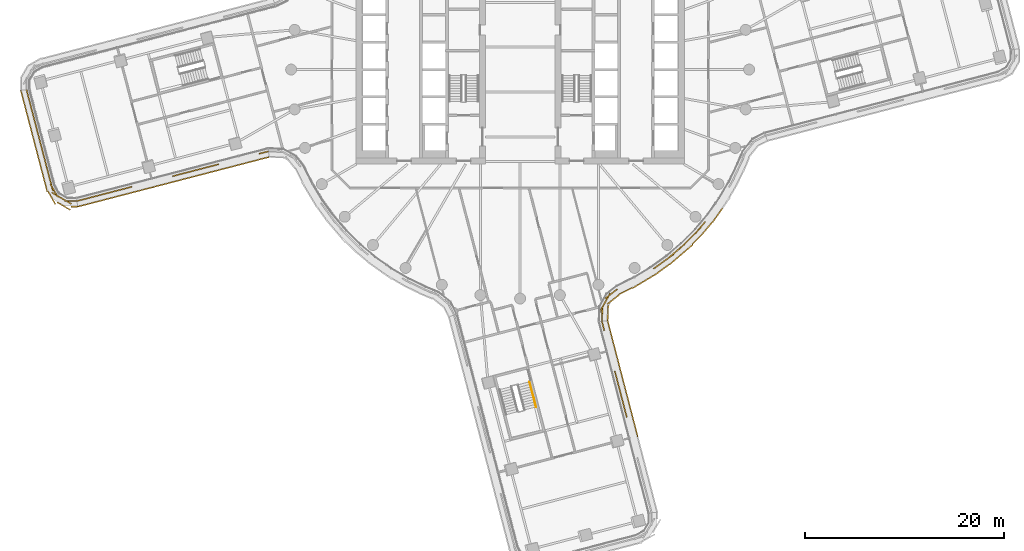
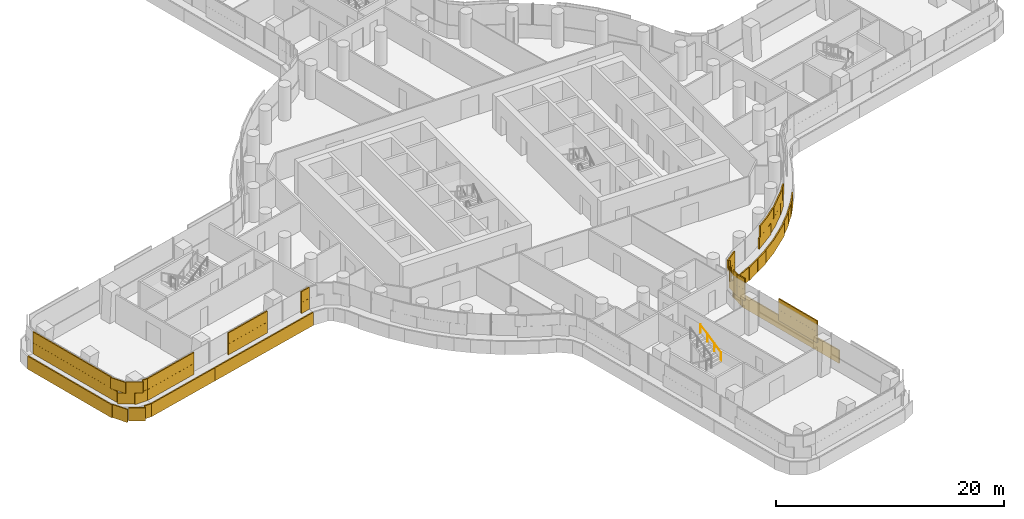
# One storey, part 25 of 30: 5 coverings, 1 railing.
"""IFC4 building model written with IfcOpenShell, lengths in metres."""

import ifcopenshell
import ifcopenshell.guid

model = None  # the IFC model being written
_history = None  # IfcOwnerHistory: only IFC2X3 demands one
_inside = {}  # id of a spatial element -> (the spatial element, [elements in it])
_under = {}  # id of a project, library or spatial element -> (it, [spatial elements below it])
_declared = {}  # id of a project -> (the project, [libraries it declares])
_typed = {}  # id of a type object -> (the type object, [elements of that type])
_made_of = {}  # id of a material, layer set ... -> (it, [elements and type objects made of it])


def new_model(schema):
    """Start an empty IFC model of exactly this schema.

    Asked for "IFC4X3", IfcOpenShell would pick the latest addendum, in which some entities
    have other attributes; the version numbers below select the first issue.
    IFC2X3 requires an IfcOwnerHistory on every rooted entity: one is made here for all.
    """
    global model, _history
    if schema == "IFC4X3":
        model = ifcopenshell.file(schema_version=(4, 3, 0, 0))
    else:
        model = ifcopenshell.file(schema=schema)
    _inside.clear()
    _under.clear()
    _declared.clear()
    _typed.clear()
    _made_of.clear()
    _history = None
    if model.schema == "IFC2X3":
        org = make("IfcOrganization", Name="unknown")
        user = make(
            "IfcPersonAndOrganization",
            ThePerson=make("IfcPerson", FamilyName="unknown"),
            TheOrganization=org,
        )
        app = make(
            "IfcApplication",
            ApplicationDeveloper=org,
            Version="unknown",
            ApplicationFullName="unknown",
            ApplicationIdentifier="unknown",
        )
        _history = make(
            "IfcOwnerHistory",
            OwningUser=user,
            OwningApplication=app,
            ChangeAction="ADDED",
            CreationDate=0,
        )
    return model


def make(cls, **values):
    """One entity of the class cls with the attributes given. An attribute that is None is left unset."""
    return model.create_entity(
        cls, **{name: value for name, value in values.items() if value is not None}
    )


def rooted(cls, **values):
    """An entity with a GlobalId (a new one), such as an element, a storey or a relation."""
    return make(cls, GlobalId=ifcopenshell.guid.new(), OwnerHistory=_history, **values)


def si_unit(unit_type, name, prefix=None):
    """IfcSIUnit, for example si_unit("LENGTHUNIT", "METRE", prefix="MILLI")."""
    return make("IfcSIUnit", UnitType=unit_type, Prefix=prefix, Name=name)


def assignment(units):
    """IfcUnitAssignment: the units of a project."""
    return None if units is None else make("IfcUnitAssignment", Units=units)


def point(xyz):
    """IfcCartesianPoint."""
    return None if xyz is None else make("IfcCartesianPoint", Coordinates=xyz)


def direction(xyz):
    """IfcDirection."""
    return None if xyz is None else make("IfcDirection", DirectionRatios=xyz)


def frame(location, z_axis=None, x_axis=None):
    """IfcAxis2Placement3D, a coordinate frame: its origin and axes. An axis left out is left unset."""
    return make(
        "IfcAxis2Placement3D",
        Location=point(location),
        Axis=direction(z_axis),
        RefDirection=direction(x_axis),
    )


def frame_2d(location, x_axis=None):
    """IfcAxis2Placement2D, a coordinate frame in the plane: its origin and x axis."""
    return make(
        "IfcAxis2Placement2D", Location=point(location), RefDirection=direction(x_axis)
    )


def origin():
    """The frame at (0, 0, 0) with its axes left unset."""
    return frame((0.0, 0.0, 0.0))


def origin_2d():
    """The frame at (0, 0) in the plane with its x axis left unset."""
    return frame_2d((0.0, 0.0))


def place(relative_to, where):
    """IfcLocalPlacement: puts the frame where relative to a parent placement (None: the world)."""
    return make(
        "IfcLocalPlacement", PlacementRelTo=relative_to, RelativePlacement=where
    )


def context(
    kind, dimensions, precision=None, world=None, true_north=None, identifier=None
):
    """IfcGeometricRepresentationContext, for example the 3D "Model" context."""
    return make(
        "IfcGeometricRepresentationContext",
        ContextIdentifier=identifier,
        ContextType=kind,
        CoordinateSpaceDimension=dimensions,
        Precision=precision,
        WorldCoordinateSystem=world,
        TrueNorth=true_north,
    )


def subcontext(parent, identifier, kind, view, scale=None):
    """IfcGeometricRepresentationSubContext, for example "Body" below "Model"."""
    return make(
        "IfcGeometricRepresentationSubContext",
        ContextIdentifier=identifier,
        ContextType=kind,
        ParentContext=parent,
        TargetScale=scale,
        TargetView=view,
    )


def project(units=None, contexts=None):
    """IfcProject with its units and contexts."""
    return rooted(
        "IfcProject",
        Name="project",
        RepresentationContexts=contexts,
        UnitsInContext=assignment(units),
    )


def spatial(cls, under=None, at=None, **own):
    """A site, building, storey or space (cls), placed at a placement, below another one or the project."""
    s = rooted(cls, ObjectPlacement=at, **own)
    if under is not None:
        _under.setdefault(under.id(), (under, []))[1].append(s)
    return s


def profile(cls, at=None, kind="AREA", **sizes):
    """A parametric profile (cls). Its sizes go by their IFC names, for example OverallWidth=200.0."""
    return make(cls, ProfileType=kind, Position=at, **sizes)


def rectangle(**sizes):
    """IfcRectangleProfileDef."""
    return profile("IfcRectangleProfileDef", **sizes)


def circle(**sizes):
    """IfcCircleProfileDef."""
    return profile("IfcCircleProfileDef", **sizes)


def extrude(swept, where, along, depth):
    """IfcExtrudedAreaSolid: the profile swept, set in the frame where, extruded along a direction by depth."""
    return make(
        "IfcExtrudedAreaSolid",
        SweptArea=swept,
        Position=where,
        ExtrudedDirection=direction(along),
        Depth=depth,
    )


def shape(context_of_items, identifier, shape_type, items):
    """IfcShapeRepresentation: the items that make up one representation, for example the "Body"."""
    return make(
        "IfcShapeRepresentation",
        ContextOfItems=context_of_items,
        RepresentationIdentifier=identifier,
        RepresentationType=shape_type,
        Items=items,
    )


def material(Name=None, Category=None):
    """IfcMaterial."""
    return make("IfcMaterial", Name=Name, Category=Category)


def layer(
    of_material, thickness, ventilated=None, Name=None, Category=None, Priority=None
):
    """IfcMaterialLayer: one layer of a wall or slab, of a material (None: an air gap)."""
    return make(
        "IfcMaterialLayer",
        Material=of_material,
        LayerThickness=thickness,
        IsVentilated=ventilated,
        Name=Name,
        Category=Category,
        Priority=Priority,
    )


def layer_set(layers, Name=None):
    """IfcMaterialLayerSet."""
    return make("IfcMaterialLayerSet", MaterialLayers=layers, LayerSetName=Name)


def made_of(thing, what):
    """Note that an element or type object is made of a material, layer set ...; save() writes the relation."""
    if what is not None:
        _made_of.setdefault(what.id(), (what, []))[1].append(thing)
    return thing


def type_object(cls, material=None, **own):
    """A type object (cls), such as IfcWallType, which elements share."""
    return made_of(rooted(cls, **own), material)


def element(
    cls,
    number,
    at=None,
    inside=None,
    cuts=None,
    type_object=None,
    material=None,
    context=None,
    identifier="Body",
    shape_type=None,
    held_by="IfcProductDefinitionShape",
    body=None,
    shapes=None,
    **own,
):
    """One element of the class cls, such as IfcWall. Its Tag is "e" and its number.

    at: its placement. inside: the storey or other place that contains it. cuts: it is an
    opening in that element (IfcRelVoidsElement). A single representation is given by context,
    identifier, shape_type and body (its items); several are given by shapes. held_by: the class
    of the entity that holds the representations. save() writes the other relations.
    """
    e = rooted(cls, Tag="e%d" % number, ObjectPlacement=at, **own)
    if body is not None:
        shapes = [shape(context, identifier, shape_type, body)]
    if shapes is not None:
        e.Representation = make(held_by, Representations=shapes)
    if inside is not None:
        _inside.setdefault(inside.id(), (inside, []))[1].append(e)
    if cuts is not None:
        rooted(
            "IfcRelVoidsElement", RelatingBuildingElement=cuts, RelatedOpeningElement=e
        )
    if type_object is not None:
        _typed.setdefault(type_object.id(), (type_object, []))[1].append(e)
    return made_of(e, material)


def aggregate(whole, parts):
    """IfcRelAggregates: a whole, such as a stair, and the parts it consists of."""
    return rooted("IfcRelAggregates", RelatingObject=whole, RelatedObjects=parts)


def save(model, path):
    """Write the relations noted so far, then the file.

    IfcRelAggregates (storeys below a building ...), IfcRelContainedInSpatialStructure (elements
    in a storey), IfcRelDefinesByType, IfcRelAssociatesMaterial and IfcRelDeclares: one each for
    every whole, place, type object, material and project.
    """
    for whole, parts in _under.values():
        aggregate(whole, parts)
    for where, things in _inside.values():
        rooted(
            "IfcRelContainedInSpatialStructure",
            RelatedElements=things,
            RelatingStructure=where,
        )
    for kind, things in _typed.values():
        rooted("IfcRelDefinesByType", RelatedObjects=things, RelatingType=kind)
    for what, things in _made_of.values():
        rooted("IfcRelAssociatesMaterial", RelatedObjects=things, RelatingMaterial=what)
    for by, libraries in _declared.values():
        rooted("IfcRelDeclares", RelatingContext=by, RelatedDefinitions=libraries)
    model.write(path)


model = new_model("IFC4")

# Units and contexts
model_context = context("Model", 3, precision=1e-05, world=origin(), true_north=direction((0.0, 1.0)))
body_context = subcontext(model_context, "Body", "Model", "MODEL_VIEW")
ifc_project = project(units=[si_unit("LENGTHUNIT", "METRE"), si_unit("AREAUNIT", "SQUARE_METRE"), si_unit("VOLUMEUNIT", "CUBIC_METRE"), si_unit("PLANEANGLEUNIT", "RADIAN"), si_unit("MASSUNIT", "GRAM", prefix="KILO")], contexts=[model_context])

# Site, building, storey
site_placement = place(None, origin())
site = spatial("IfcSite", under=ifc_project, at=site_placement, CompositionType="ELEMENT")
building_placement = place(site_placement, origin())
building = spatial("IfcBuilding", under=site, at=building_placement, Name="Tamarind Cross Interchange Tower", CompositionType="ELEMENT")
storey_placement = place(building_placement, frame((0.0, 0.0, 87.25)))
storey = spatial("IfcBuildingStorey", under=building, at=storey_placement, Name="L20", CompositionType="ELEMENT", Elevation=87.25)

# Railing
ifc_material_1 = material(Name="Stair handrail")
railing_type = type_object("IfcRailingType", Name="Stair handrail", PredefinedType="HANDRAIL", material=ifc_material_1)
railing_placement = place(storey_placement, frame((1.60205078125, -33.88037109375, 2.04541015625)))
element("IfcRailing", 1, at=railing_placement, inside=storey, type_object=railing_type, Name="L20 ST6 stair handrail 2", PredefinedType="HANDRAIL", context=body_context, shape_type="SweptSolid", body=[
    extrude(circle(Radius=0.02392578125, at=origin_2d()), frame((0.0, 0.0, 0.8759765625), z_axis=(-0.211169100109, 0.809180515998, 0.548301471535), x_axis=(-0.96759433238, -0.252509817524, 0.0)), (0.0, 0.0, 1.0), 3.10888671875),
    extrude(circle(Radius=0.02099609375, at=origin_2d()), origin(), (0.0, 0.0, 1.0), 0.851806640625),
    extrude(circle(Radius=0.02099609375, at=origin_2d()), frame((-0.21875, 0.838623046875, 0.568115234375)), (0.0, 0.0, 1.0), 0.851806640625),
    extrude(circle(Radius=0.02099609375, at=origin_2d()), frame((-0.437744140625, 1.677001953125, 1.136474609375)), (0.0, 0.0, 1.0), 0.851806640625),
    extrude(circle(Radius=0.02099609375, at=origin_2d()), frame((-0.656494140625, 2.515625, 1.70458984375)), (0.0, 0.0, 1.0), 0.851806640625),
])

# Coverings
ifc_material_2 = material(Name="Terracotta", Category="masonry")
ifc_layer = layer(ifc_material_2, 0.1201171875)
ifc_layer_set = layer_set([ifc_layer], Name="Terracotta")
covering_type = type_object("IfcCoveringType", Name="Terracotta baguette screen unit", PredefinedType="MOLDING", material=ifc_layer_set)
covering_1_placement = place(storey_placement, origin())
element("IfcCovering", 2, at=covering_1_placement, inside=storey, type_object=covering_type, Name="SCR-L20-04-00", PredefinedType="MOLDING", context=body_context, shape_type="SweptSolid", body=[
    extrude(rectangle(XDim=1.510009765625, YDim=0.1201171875, at=origin_2d()), frame((-49.3955078125, -2.745361328125, 1.404052734375), z_axis=(0.0, 0.0, 1.0), x_axis=(0.252528729967, -0.967589396666, 0.0)), (0.0, 0.0, 1.0), 1.1669921875),
    extrude(rectangle(XDim=1.52001953125, YDim=0.1201171875, at=origin_2d()), frame((-49.016845703125, -4.19677734375, 1.404052734375), z_axis=(0.0, 0.0, 1.0), x_axis=(0.252528729967, -0.967589396666, 0.0)), (0.0, 0.0, 1.0), 1.1669921875),
    extrude(rectangle(XDim=1.52001953125, YDim=0.1201171875, at=origin_2d()), frame((-48.637939453125, -5.64794921875, 1.404052734375), z_axis=(0.0, 0.0, 1.0), x_axis=(0.252528729967, -0.967589396666, 0.0)), (0.0, 0.0, 1.0), 1.1669921875),
    extrude(rectangle(XDim=1.52001953125, YDim=0.1201171875, at=origin_2d()), frame((-48.25927734375, -7.099365234375, 1.404052734375), z_axis=(0.0, 0.0, 1.0), x_axis=(0.252528729967, -0.967589396666, 0.0)), (0.0, 0.0, 1.0), 1.1669921875),
    extrude(rectangle(XDim=1.52001953125, YDim=0.1201171875, at=origin_2d()), frame((-47.88037109375, -8.55078125, 1.404052734375), z_axis=(0.0, 0.0, 1.0), x_axis=(0.252528729967, -0.967589396666, 0.0)), (0.0, 0.0, 1.0), 1.1669921875),
    extrude(rectangle(XDim=1.52001953125, YDim=0.1201171875, at=origin_2d()), frame((-47.501708984375, -10.002197265625, 1.404052734375), z_axis=(0.0, 0.0, 1.0), x_axis=(0.252528729967, -0.967589396666, 0.0)), (0.0, 0.0, 1.0), 1.1669921875),
    extrude(rectangle(XDim=1.52001953125, YDim=0.1201171875, at=origin_2d()), frame((-47.122802734375, -11.45361328125, 1.404052734375), z_axis=(0.0, 0.0, 1.0), x_axis=(0.252528729967, -0.967589396666, 0.0)), (0.0, 0.0, 1.0), 1.1669921875),
    extrude(rectangle(XDim=1.52001953125, YDim=0.1201171875, at=origin_2d()), frame((-46.390380859375, -12.72802734375, 1.404052734375), z_axis=(0.0, 0.0, 1.0), x_axis=(0.862753801191, -0.505624246383, 0.0)), (0.0, 0.0, 1.0), 1.1669921875),
    extrude(rectangle(XDim=1.259521484375, YDim=0.1201171875, at=origin_2d()), frame((-45.14306640625, -13.200439453125, 1.404052734375), z_axis=(0.0, 0.0, 1.0), x_axis=(0.999978832235, -0.006506541541, 0.0)), (0.0, 0.0, 1.0), 1.1669921875),
    extrude(rectangle(XDim=0.760009765625, YDim=0.1201171875, at=origin_2d()), frame((-49.490234375, -2.382568359375, 2.5791015625), z_axis=(0.0, 0.0, 1.0), x_axis=(0.252528729967, -0.967589396666, 0.0)), (0.0, 0.0, 1.0), 1.1669921875),
    extrude(rectangle(XDim=1.52001953125, YDim=0.1201171875, at=origin_2d()), frame((-49.2060546875, -3.470947265625, 2.5791015625), z_axis=(0.0, 0.0, 1.0), x_axis=(0.252528729967, -0.967589396666, 0.0)), (0.0, 0.0, 1.0), 1.1669921875),
    extrude(rectangle(XDim=1.52001953125, YDim=0.1201171875, at=origin_2d()), frame((-48.827392578125, -4.92236328125, 2.5791015625), z_axis=(0.0, 0.0, 1.0), x_axis=(0.252528729967, -0.967589396666, 0.0)), (0.0, 0.0, 1.0), 1.1669921875),
    extrude(rectangle(XDim=1.52001953125, YDim=0.1201171875, at=origin_2d()), frame((-48.448486328125, -6.373779296875, 2.5791015625), z_axis=(0.0, 0.0, 1.0), x_axis=(0.252528729967, -0.967589396666, 0.0)), (0.0, 0.0, 1.0), 1.1669921875),
    extrude(rectangle(XDim=1.52001953125, YDim=0.1201171875, at=origin_2d()), frame((-48.06982421875, -7.8251953125, 2.5791015625), z_axis=(0.0, 0.0, 1.0), x_axis=(0.252528729967, -0.967589396666, 0.0)), (0.0, 0.0, 1.0), 1.1669921875),
    extrude(rectangle(XDim=1.52001953125, YDim=0.1201171875, at=origin_2d()), frame((-47.69091796875, -9.276611328125, 2.5791015625), z_axis=(0.0, 0.0, 1.0), x_axis=(0.252528729967, -0.967589396666, 0.0)), (0.0, 0.0, 1.0), 1.1669921875),
    extrude(rectangle(XDim=1.52001953125, YDim=0.1201171875, at=origin_2d()), frame((-47.312255859375, -10.72802734375, 2.5791015625), z_axis=(0.0, 0.0, 1.0), x_axis=(0.252528729967, -0.967589396666, 0.0)), (0.0, 0.0, 1.0), 1.1669921875),
    extrude(rectangle(XDim=1.52001953125, YDim=0.1201171875, at=origin_2d()), frame((-46.818115234375, -12.132568359375, 2.5791015625), z_axis=(0.0, 0.0, 1.0), x_axis=(0.494354585852, -0.869260342733, 0.0)), (0.0, 0.0, 1.0), 1.1669921875),
    extrude(rectangle(XDim=1.52001953125, YDim=0.1201171875, at=origin_2d()), frame((-45.7431640625, -13.107177734375, 2.5791015625), z_axis=(0.0, 0.0, 1.0), x_axis=(0.862753801191, -0.505624246383, 0.0)), (0.0, 0.0, 1.0), 1.1669921875),
    extrude(rectangle(XDim=0.509521484375, YDim=0.1201171875, at=origin_2d()), frame((-44.76806640625, -13.202880859375, 2.5791015625), z_axis=(0.0, 0.0, 1.0), x_axis=(0.999978832235, -0.006506541541, 0.0)), (0.0, 0.0, 1.0), 1.1669921875),
    extrude(rectangle(XDim=1.510009765625, YDim=0.1201171875, at=origin_2d()), frame((-49.96875, -2.822021484375, 0.00390625), z_axis=(0.0, 0.0, 1.0), x_axis=(0.252528729967, -0.967589396666, 0.0)), (0.0, 0.0, 1.0), 1.39208984375),
    extrude(rectangle(XDim=1.52001953125, YDim=0.1201171875, at=origin_2d()), frame((-49.59130859375, -4.2685546875, 0.00390625), z_axis=(0.0, 0.0, 1.0), x_axis=(0.252528729967, -0.967589396666, 0.0)), (0.0, 0.0, 1.0), 1.39208984375),
    extrude(rectangle(XDim=1.52001953125, YDim=0.1201171875, at=origin_2d()), frame((-49.21240234375, -5.719970703125, 0.00390625), z_axis=(0.0, 0.0, 1.0), x_axis=(0.252528729967, -0.967589396666, 0.0)), (0.0, 0.0, 1.0), 1.39208984375),
    extrude(rectangle(XDim=1.52001953125, YDim=0.1201171875, at=origin_2d()), frame((-48.833740234375, -7.17138671875, 0.00390625), z_axis=(0.0, 0.0, 1.0), x_axis=(0.252528729967, -0.967589396666, 0.0)), (0.0, 0.0, 1.0), 1.39208984375),
    extrude(rectangle(XDim=1.52001953125, YDim=0.1201171875, at=origin_2d()), frame((-48.454833984375, -8.62255859375, 0.00390625), z_axis=(0.0, 0.0, 1.0), x_axis=(0.252528729967, -0.967589396666, 0.0)), (0.0, 0.0, 1.0), 1.39208984375),
    extrude(rectangle(XDim=1.52001953125, YDim=0.1201171875, at=origin_2d()), frame((-48.076171875, -10.073974609375, 0.00390625), z_axis=(0.0, 0.0, 1.0), x_axis=(0.252528729967, -0.967589396666, 0.0)), (0.0, 0.0, 1.0), 1.39208984375),
    extrude(rectangle(XDim=1.52001953125, YDim=0.1201171875, at=origin_2d()), frame((-47.697265625, -11.525390625, 0.00390625), z_axis=(0.0, 0.0, 1.0), x_axis=(0.252528729967, -0.967589396666, 0.0)), (0.0, 0.0, 1.0), 1.39208984375),
    extrude(rectangle(XDim=1.52001953125, YDim=0.1201171875, at=origin_2d()), frame((-47.05859375, -12.87109375, 0.00390625), z_axis=(0.0, 0.0, 1.0), x_axis=(0.494354585852, -0.869260342733, 0.0)), (0.0, 0.0, 1.0), 1.39208984375),
    extrude(rectangle(XDim=1.52001953125, YDim=0.1201171875, at=origin_2d()), frame((-45.847412109375, -13.71142578125, 0.00390625), z_axis=(0.0, 0.0, 1.0), x_axis=(0.862753801191, -0.505624246383, 0.0)), (0.0, 0.0, 1.0), 1.39208984375),
    extrude(rectangle(XDim=0.6767578125, YDim=0.1201171875, at=origin_2d()), frame((-44.78515625, -13.776611328125, 0.00390625), z_axis=(0.0, 0.0, 1.0), x_axis=(0.999978832235, -0.006506541541, 0.0)), (0.0, 0.0, 1.0), 1.39208984375),
])
covering_2_placement = place(storey_placement, origin())
element("IfcCovering", 3, at=covering_2_placement, inside=storey, type_object=covering_type, Name="SCR-L20-05-00", PredefinedType="MOLDING", context=body_context, shape_type="SweptSolid", body=[
    extrude(rectangle(XDim=1.510009765625, YDim=0.1201171875, at=origin_2d()), frame((-43.792236328125, -13.015869140625, 1.404052734375), z_axis=(0.0, 0.0, 1.0), x_axis=(0.967917811763, 0.251267008723, 0.0)), (0.0, 0.0, 1.0), 1.1669921875),
    extrude(rectangle(XDim=1.52001953125, YDim=0.1201171875, at=origin_2d()), frame((-42.34033203125, -12.63916015625, 1.404052734375), z_axis=(0.0, 0.0, 1.0), x_axis=(0.967917811763, 0.251267008723, 0.0)), (0.0, 0.0, 1.0), 1.1669921875),
    extrude(rectangle(XDim=1.52001953125, YDim=0.1201171875, at=origin_2d()), frame((-40.888427734375, -12.26220703125, 1.404052734375), z_axis=(0.0, 0.0, 1.0), x_axis=(0.967917811763, 0.251267008723, 0.0)), (0.0, 0.0, 1.0), 1.1669921875),
    extrude(rectangle(XDim=1.22021484375, YDim=0.1201171875, at=origin_2d()), frame((-39.576904296875, -11.921630859375, 1.404052734375), z_axis=(0.0, 0.0, 1.0), x_axis=(0.967917811763, 0.251267008723, 0.0)), (0.0, 0.0, 1.0), 1.1669921875),
    extrude(rectangle(XDim=0.760009765625, YDim=0.1201171875, at=origin_2d()), frame((-44.1552734375, -13.110107421875, 2.5791015625), z_axis=(0.0, 0.0, 1.0), x_axis=(0.967917811763, 0.251267008723, 0.0)), (0.0, 0.0, 1.0), 1.1669921875),
    extrude(rectangle(XDim=1.52001953125, YDim=0.1201171875, at=origin_2d()), frame((-43.06640625, -12.82763671875, 2.5791015625), z_axis=(0.0, 0.0, 1.0), x_axis=(0.967917811763, 0.251267008723, 0.0)), (0.0, 0.0, 1.0), 1.1669921875),
    extrude(rectangle(XDim=1.52001953125, YDim=0.1201171875, at=origin_2d()), frame((-41.614501953125, -12.45068359375, 2.5791015625), z_axis=(0.0, 0.0, 1.0), x_axis=(0.967917811763, 0.251267008723, 0.0)), (0.0, 0.0, 1.0), 1.1669921875),
    extrude(rectangle(XDim=1.52001953125, YDim=0.1201171875, at=origin_2d()), frame((-40.16259765625, -12.07373046875, 2.5791015625), z_axis=(0.0, 0.0, 1.0), x_axis=(0.967917811763, 0.251267008723, 0.0)), (0.0, 0.0, 1.0), 1.1669921875),
    extrude(rectangle(XDim=0.47021484375, YDim=0.1201171875, at=origin_2d()), frame((-39.2138671875, -11.827392578125, 2.5791015625), z_axis=(0.0, 0.0, 1.0), x_axis=(0.967917811763, 0.251267008723, 0.0)), (0.0, 0.0, 1.0), 1.1669921875),
    extrude(rectangle(XDim=1.510009765625, YDim=0.1201171875, at=origin_2d()), frame((-43.7158203125, -13.589111328125, 0.00390625), z_axis=(0.0, 0.0, 1.0), x_axis=(0.967917811763, 0.251267008723, 0.0)), (0.0, 0.0, 1.0), 1.39208984375),
    extrude(rectangle(XDim=1.52001953125, YDim=0.1201171875, at=origin_2d()), frame((-42.268798828125, -13.213623046875, 0.00390625), z_axis=(0.0, 0.0, 1.0), x_axis=(0.967917811763, 0.251267008723, 0.0)), (0.0, 0.0, 1.0), 1.39208984375),
    extrude(rectangle(XDim=1.52001953125, YDim=0.1201171875, at=origin_2d()), frame((-40.817138671875, -12.836669921875, 0.00390625), z_axis=(0.0, 0.0, 1.0), x_axis=(0.967917811763, 0.251267008723, 0.0)), (0.0, 0.0, 1.0), 1.39208984375),
    extrude(rectangle(XDim=1.52001953125, YDim=0.1201171875, at=origin_2d()), frame((-39.365234375, -12.459716796875, 0.00390625), z_axis=(0.0, 0.0, 1.0), x_axis=(0.967917811763, 0.251267008723, 0.0)), (0.0, 0.0, 1.0), 1.39208984375),
    extrude(rectangle(XDim=1.52001953125, YDim=0.1201171875, at=origin_2d()), frame((-37.913330078125, -12.082763671875, 0.00390625), z_axis=(0.0, 0.0, 1.0), x_axis=(0.967917811763, 0.251267008723, 0.0)), (0.0, 0.0, 1.0), 1.39208984375),
    extrude(rectangle(XDim=0.316162109375, YDim=0.1201171875, at=origin_2d()), frame((-37.0439453125, -11.857177734375, 0.00390625), z_axis=(0.0, 0.0, 1.0), x_axis=(0.967917811763, 0.251267008723, 0.0)), (0.0, 0.0, 1.0), 1.39208984375),
])
covering_3_placement = place(storey_placement, origin())
element("IfcCovering", 4, at=covering_3_placement, inside=storey, type_object=covering_type, Name="SCR-L20-05-01", PredefinedType="MOLDING", context=body_context, shape_type="SweptSolid", body=[
    extrude(rectangle(XDim=0.599853515625, YDim=0.1201171875, at=origin_2d()), frame((-34.640380859375, -10.64013671875, 1.404052734375), z_axis=(0.0, 0.0, 1.0), x_axis=(0.967917811763, 0.251267008723, 0.0)), (0.0, 0.0, 1.0), 1.1669921875),
    extrude(rectangle(XDim=1.52001953125, YDim=0.1201171875, at=origin_2d()), frame((-33.629150390625, -10.377685546875, 1.404052734375), z_axis=(0.0, 0.0, 1.0), x_axis=(0.967917811763, 0.251267008723, 0.0)), (0.0, 0.0, 1.0), 1.1669921875),
    extrude(rectangle(XDim=1.52001953125, YDim=0.1201171875, at=origin_2d()), frame((-32.17724609375, -10.000732421875, 1.404052734375), z_axis=(0.0, 0.0, 1.0), x_axis=(0.967917811763, 0.251267008723, 0.0)), (0.0, 0.0, 1.0), 1.1669921875),
    extrude(rectangle(XDim=1.219482421875, YDim=0.1201171875, at=origin_2d()), frame((-30.865966796875, -9.660400390625, 1.404052734375), z_axis=(0.0, 0.0, 1.0), x_axis=(0.967917811763, 0.251267008723, 0.0)), (0.0, 0.0, 1.0), 1.1669921875),
    extrude(rectangle(XDim=0.6005859375, YDim=0.1201171875, at=origin_2d()), frame((-25.929443359375, -8.37890625, 1.404052734375), z_axis=(0.0, 0.0, 1.0), x_axis=(0.967917811763, 0.251267008723, 0.0)), (0.0, 0.0, 1.0), 1.1669921875),
    extrude(rectangle(XDim=0.390869140625, YDim=0.1201171875, at=origin_2d()), frame((-25.45947265625, -8.2568359375, 1.404052734375), z_axis=(0.0, 0.0, 1.0), x_axis=(0.967917811763, 0.251267008723, 0.0)), (0.0, 0.0, 1.0), 1.1669921875),
    extrude(rectangle(XDim=1.349853515625, YDim=0.1201171875, at=origin_2d()), frame((-34.277587890625, -10.5458984375, 2.5791015625), z_axis=(0.0, 0.0, 1.0), x_axis=(0.967917811763, 0.251267008723, 0.0)), (0.0, 0.0, 1.0), 1.1669921875),
    extrude(rectangle(XDim=1.52001953125, YDim=0.1201171875, at=origin_2d()), frame((-32.903076171875, -10.189208984375, 2.5791015625), z_axis=(0.0, 0.0, 1.0), x_axis=(0.967917811763, 0.251267008723, 0.0)), (0.0, 0.0, 1.0), 1.1669921875),
    extrude(rectangle(XDim=1.52001953125, YDim=0.1201171875, at=origin_2d()), frame((-31.451171875, -9.812255859375, 2.5791015625), z_axis=(0.0, 0.0, 1.0), x_axis=(0.967917811763, 0.251267008723, 0.0)), (0.0, 0.0, 1.0), 1.1669921875),
    extrude(rectangle(XDim=0.469482421875, YDim=0.1201171875, at=origin_2d()), frame((-30.5029296875, -9.566162109375, 2.5791015625), z_axis=(0.0, 0.0, 1.0), x_axis=(0.967917811763, 0.251267008723, 0.0)), (0.0, 0.0, 1.0), 1.1669921875),
    extrude(rectangle(XDim=0.971435546875, YDim=0.1201171875, at=origin_2d()), frame((-25.7451171875, -8.3310546875, 2.5791015625), z_axis=(0.0, 0.0, 1.0), x_axis=(0.967917811763, 0.251267008723, 0.0)), (0.0, 0.0, 1.0), 1.1669921875),
    extrude(rectangle(XDim=1.203857421875, YDim=0.1201171875, at=origin_2d()), frame((-36.308349609375, -11.666259765625, 0.00390625), z_axis=(0.0, 0.0, 1.0), x_axis=(0.967917811763, 0.251267008723, 0.0)), (0.0, 0.0, 1.0), 1.39208984375),
    extrude(rectangle(XDim=1.52001953125, YDim=0.1201171875, at=origin_2d()), frame((-35.009521484375, -11.3291015625, 0.00390625), z_axis=(0.0, 0.0, 1.0), x_axis=(0.967917811763, 0.251267008723, 0.0)), (0.0, 0.0, 1.0), 1.39208984375),
    extrude(rectangle(XDim=1.52001953125, YDim=0.1201171875, at=origin_2d()), frame((-33.5576171875, -10.9521484375, 0.00390625), z_axis=(0.0, 0.0, 1.0), x_axis=(0.967917811763, 0.251267008723, 0.0)), (0.0, 0.0, 1.0), 1.39208984375),
    extrude(rectangle(XDim=1.52001953125, YDim=0.1201171875, at=origin_2d()), frame((-32.105712890625, -10.5751953125, 0.00390625), z_axis=(0.0, 0.0, 1.0), x_axis=(0.967917811763, 0.251267008723, 0.0)), (0.0, 0.0, 1.0), 1.39208984375),
    extrude(rectangle(XDim=1.52001953125, YDim=0.1201171875, at=origin_2d()), frame((-30.65380859375, -10.1982421875, 0.00390625), z_axis=(0.0, 0.0, 1.0), x_axis=(0.967917811763, 0.251267008723, 0.0)), (0.0, 0.0, 1.0), 1.39208984375),
    extrude(rectangle(XDim=1.52001953125, YDim=0.1201171875, at=origin_2d()), frame((-29.201904296875, -9.821533203125, 0.00390625), z_axis=(0.0, 0.0, 1.0), x_axis=(0.967917811763, 0.251267008723, 0.0)), (0.0, 0.0, 1.0), 1.39208984375),
    extrude(rectangle(XDim=1.52001953125, YDim=0.1201171875, at=origin_2d()), frame((-27.750244140625, -9.444580078125, 0.00390625), z_axis=(0.0, 0.0, 1.0), x_axis=(0.967917811763, 0.251267008723, 0.0)), (0.0, 0.0, 1.0), 1.39208984375),
    extrude(rectangle(XDim=1.52001953125, YDim=0.1201171875, at=origin_2d()), frame((-26.29833984375, -9.067626953125, 0.00390625), z_axis=(0.0, 0.0, 1.0), x_axis=(0.967917811763, 0.251267008723, 0.0)), (0.0, 0.0, 1.0), 1.39208984375),
    extrude(rectangle(XDim=0.380126953125, YDim=0.1201171875, at=origin_2d()), frame((-25.39794921875, -8.833984375, 0.00390625), z_axis=(0.0, 0.0, 1.0), x_axis=(0.967917811763, 0.251267008723, 0.0)), (0.0, 0.0, 1.0), 1.39208984375),
])
covering_4_placement = place(storey_placement, origin())
element("IfcCovering", 5, at=covering_4_placement, inside=storey, type_object=covering_type, Name="SCR-L20-09-01", PredefinedType="MOLDING", context=body_context, shape_type="SweptSolid", body=[
    extrude(rectangle(XDim=0.599853515625, YDim=0.1201171875, at=origin_2d()), frame((10.64013671875, -34.640380859375, 1.404052734375), z_axis=(0.0, 0.0, 1.0), x_axis=(-0.251267008723, 0.967917811763, 0.0)), (0.0, 0.0, 1.0), 1.1669921875),
    extrude(rectangle(XDim=1.52001953125, YDim=0.1201171875, at=origin_2d()), frame((10.377685546875, -33.629150390625, 1.404052734375), z_axis=(0.0, 0.0, 1.0), x_axis=(-0.251267008723, 0.967917811763, 0.0)), (0.0, 0.0, 1.0), 1.1669921875),
    extrude(rectangle(XDim=1.52001953125, YDim=0.1201171875, at=origin_2d()), frame((10.000732421875, -32.17724609375, 1.404052734375), z_axis=(0.0, 0.0, 1.0), x_axis=(-0.251267008723, 0.967917811763, 0.0)), (0.0, 0.0, 1.0), 1.1669921875),
    extrude(rectangle(XDim=1.219482421875, YDim=0.1201171875, at=origin_2d()), frame((9.660400390625, -30.865966796875, 1.404052734375), z_axis=(0.0, 0.0, 1.0), x_axis=(-0.251267008723, 0.967917811763, 0.0)), (0.0, 0.0, 1.0), 1.1669921875),
    extrude(rectangle(XDim=0.6005859375, YDim=0.1201171875, at=origin_2d()), frame((8.37890625, -25.929443359375, 1.404052734375), z_axis=(0.0, 0.0, 1.0), x_axis=(-0.251267008723, 0.967917811763, 0.0)), (0.0, 0.0, 1.0), 1.1669921875),
    extrude(rectangle(XDim=0.390869140625, YDim=0.1201171875, at=origin_2d()), frame((8.2568359375, -25.45947265625, 1.404052734375), z_axis=(0.0, 0.0, 1.0), x_axis=(-0.251267008723, 0.967917811763, 0.0)), (0.0, 0.0, 1.0), 1.1669921875),
    extrude(rectangle(XDim=1.349853515625, YDim=0.1201171875, at=origin_2d()), frame((10.5458984375, -34.277587890625, 2.5791015625), z_axis=(0.0, 0.0, 1.0), x_axis=(-0.251267008723, 0.967917811763, 0.0)), (0.0, 0.0, 1.0), 1.1669921875),
    extrude(rectangle(XDim=1.52001953125, YDim=0.1201171875, at=origin_2d()), frame((10.189208984375, -32.903076171875, 2.5791015625), z_axis=(0.0, 0.0, 1.0), x_axis=(-0.251267008723, 0.967917811763, 0.0)), (0.0, 0.0, 1.0), 1.1669921875),
    extrude(rectangle(XDim=1.52001953125, YDim=0.1201171875, at=origin_2d()), frame((9.812255859375, -31.451171875, 2.5791015625), z_axis=(0.0, 0.0, 1.0), x_axis=(-0.251267008723, 0.967917811763, 0.0)), (0.0, 0.0, 1.0), 1.1669921875),
    extrude(rectangle(XDim=0.469482421875, YDim=0.1201171875, at=origin_2d()), frame((9.566162109375, -30.5029296875, 2.5791015625), z_axis=(0.0, 0.0, 1.0), x_axis=(-0.251267008723, 0.967917811763, 0.0)), (0.0, 0.0, 1.0), 1.1669921875),
    extrude(rectangle(XDim=0.971435546875, YDim=0.1201171875, at=origin_2d()), frame((8.3310546875, -25.7451171875, 2.5791015625), z_axis=(0.0, 0.0, 1.0), x_axis=(-0.251267008723, 0.967917811763, 0.0)), (0.0, 0.0, 1.0), 1.1669921875),
    extrude(rectangle(XDim=1.203857421875, YDim=0.1201171875, at=origin_2d()), frame((11.666259765625, -36.308349609375, 0.00390625), z_axis=(0.0, 0.0, 1.0), x_axis=(-0.251267008723, 0.967917811763, 0.0)), (0.0, 0.0, 1.0), 1.39208984375),
    extrude(rectangle(XDim=1.52001953125, YDim=0.1201171875, at=origin_2d()), frame((11.3291015625, -35.009521484375, 0.00390625), z_axis=(0.0, 0.0, 1.0), x_axis=(-0.251267008723, 0.967917811763, 0.0)), (0.0, 0.0, 1.0), 1.39208984375),
    extrude(rectangle(XDim=1.52001953125, YDim=0.1201171875, at=origin_2d()), frame((10.9521484375, -33.5576171875, 0.00390625), z_axis=(0.0, 0.0, 1.0), x_axis=(-0.251267008723, 0.967917811763, 0.0)), (0.0, 0.0, 1.0), 1.39208984375),
    extrude(rectangle(XDim=1.52001953125, YDim=0.1201171875, at=origin_2d()), frame((10.5751953125, -32.105712890625, 0.00390625), z_axis=(0.0, 0.0, 1.0), x_axis=(-0.251267008723, 0.967917811763, 0.0)), (0.0, 0.0, 1.0), 1.39208984375),
    extrude(rectangle(XDim=1.52001953125, YDim=0.1201171875, at=origin_2d()), frame((10.1982421875, -30.65380859375, 0.00390625), z_axis=(0.0, 0.0, 1.0), x_axis=(-0.251267008723, 0.967917811763, 0.0)), (0.0, 0.0, 1.0), 1.39208984375),
    extrude(rectangle(XDim=1.52001953125, YDim=0.1201171875, at=origin_2d()), frame((9.821533203125, -29.201904296875, 0.00390625), z_axis=(0.0, 0.0, 1.0), x_axis=(-0.251267008723, 0.967917811763, 0.0)), (0.0, 0.0, 1.0), 1.39208984375),
    extrude(rectangle(XDim=1.52001953125, YDim=0.1201171875, at=origin_2d()), frame((9.444580078125, -27.750244140625, 0.00390625), z_axis=(0.0, 0.0, 1.0), x_axis=(-0.251267008723, 0.967917811763, 0.0)), (0.0, 0.0, 1.0), 1.39208984375),
    extrude(rectangle(XDim=1.52001953125, YDim=0.1201171875, at=origin_2d()), frame((9.067626953125, -26.29833984375, 0.00390625), z_axis=(0.0, 0.0, 1.0), x_axis=(-0.251267008723, 0.967917811763, 0.0)), (0.0, 0.0, 1.0), 1.39208984375),
    extrude(rectangle(XDim=0.380126953125, YDim=0.1201171875, at=origin_2d()), frame((8.833984375, -25.39794921875, 0.00390625), z_axis=(0.0, 0.0, 1.0), x_axis=(-0.251267008723, 0.967917811763, 0.0)), (0.0, 0.0, 1.0), 1.39208984375),
])
covering_5_placement = place(storey_placement, origin())
element("IfcCovering", 6, at=covering_5_placement, inside=storey, type_object=covering_type, Name="SCR-L20-10-00", PredefinedType="MOLDING", context=body_context, shape_type="SweptSolid", body=[
    extrude(rectangle(XDim=1.510009765625, YDim=0.1201171875, at=origin_2d()), frame((8.2412109375, -24.52587890625, 1.404052734375), z_axis=(0.0, 0.0, 1.0), x_axis=(0.042972111644, 0.999076272174, 0.0)), (0.0, 0.0, 1.0), 1.1669921875),
    extrude(rectangle(XDim=1.52001953125, YDim=0.1201171875, at=origin_2d()), frame((8.67236328125, -23.13037109375, 1.404052734375), z_axis=(0.0, 0.0, 1.0), x_axis=(0.484770821269, 0.874641212639, 0.0)), (0.0, 0.0, 1.0), 1.1669921875),
    extrude(rectangle(XDim=0.80810546875, YDim=0.1201171875, at=origin_2d()), frame((9.435791015625, -22.3017578125, 1.404052734375), z_axis=(0.0, 0.0, 1.0), x_axis=(0.788525229299, 0.615002408743, 0.0)), (0.0, 0.0, 1.0), 1.1669921875),
    extrude(rectangle(XDim=1.011962890625, YDim=0.1201171875, at=origin_2d()), frame((13.81298828125, -19.708984375, 1.404052734375), z_axis=(0.0, 0.0, 1.0), x_axis=(0.811340475102, 0.584573890505, 0.0)), (0.0, 0.0, 1.0), 1.1669921875),
    extrude(rectangle(XDim=1.52001953125, YDim=0.1201171875, at=origin_2d()), frame((14.827880859375, -18.977783203125, 1.404052734375), z_axis=(0.0, 0.0, 1.0), x_axis=(0.811340475102, 0.584573890505, 0.0)), (0.0, 0.0, 1.0), 1.1669921875),
    extrude(rectangle(XDim=1.52001953125, YDim=0.1201171875, at=origin_2d()), frame((15.971435546875, -18.00732421875, 1.404052734375), z_axis=(0.0, 0.0, 1.0), x_axis=(0.760295606781, 0.64957723968, 0.0)), (0.0, 0.0, 1.0), 1.1669921875),
    extrude(rectangle(XDim=1.52001953125, YDim=0.1201171875, at=origin_2d()), frame((17.058349609375, -16.975341796875, 1.404052734375), z_axis=(0.0, 0.0, 1.0), x_axis=(0.704057148523, 0.710143317658, 0.0)), (0.0, 0.0, 1.0), 1.1669921875),
    extrude(rectangle(XDim=1.52001953125, YDim=0.1201171875, at=origin_2d()), frame((18.08642578125, -15.884521484375, 1.404052734375), z_axis=(0.0, 0.0, 1.0), x_axis=(0.643009266048, 0.765858396687, 0.0)), (0.0, 0.0, 1.0), 1.1669921875),
    extrude(rectangle(XDim=0.760009765625, YDim=0.1201171875, at=origin_2d()), frame((8.22509765625, -24.900390625, 2.5791015625), z_axis=(0.0, 0.0, 1.0), x_axis=(0.042972111644, 0.999076272174, 0.0)), (0.0, 0.0, 1.0), 1.1669921875),
    extrude(rectangle(XDim=1.52001953125, YDim=0.1201171875, at=origin_2d()), frame((8.308837890625, -23.786376953125, 2.5791015625), z_axis=(0.0, 0.0, 1.0), x_axis=(0.484770821269, 0.874641212639, 0.0)), (0.0, 0.0, 1.0), 1.1669921875),
    extrude(rectangle(XDim=1.52001953125, YDim=0.1201171875, at=origin_2d()), frame((9.12109375, -22.547119140625, 2.5791015625), z_axis=(0.0, 0.0, 1.0), x_axis=(0.788525229299, 0.615002408743, 0.0)), (0.0, 0.0, 1.0), 1.1669921875),
    extrude(rectangle(XDim=1.52001953125, YDim=0.1201171875, at=origin_2d()), frame((14.219482421875, -19.416259765625, 2.5791015625), z_axis=(0.0, 0.0, 1.0), x_axis=(0.811340475102, 0.584573890505, 0.0)), (0.0, 0.0, 1.0), 1.1669921875),
    extrude(rectangle(XDim=1.52001953125, YDim=0.1201171875, at=origin_2d()), frame((15.401123046875, -18.494384765625, 2.5791015625), z_axis=(0.0, 0.0, 1.0), x_axis=(0.760295606781, 0.64957723968, 0.0)), (0.0, 0.0, 1.0), 1.1669921875),
    extrude(rectangle(XDim=1.52001953125, YDim=0.1201171875, at=origin_2d()), frame((16.5302734375, -17.5078125, 2.5791015625), z_axis=(0.0, 0.0, 1.0), x_axis=(0.704057148523, 0.710143317658, 0.0)), (0.0, 0.0, 1.0), 1.1669921875),
    extrude(rectangle(XDim=1.52001953125, YDim=0.1201171875, at=origin_2d()), frame((17.58642578125, -16.442626953125, 2.5791015625), z_axis=(0.0, 0.0, 1.0), x_axis=(0.704057148523, 0.710143317658, 0.0)), (0.0, 0.0, 1.0), 1.1669921875),
    extrude(rectangle(XDim=0.807373046875, YDim=0.1201171875, at=origin_2d()), frame((18.3427734375, -15.5791015625, 2.5791015625), z_axis=(0.0, 0.0, 1.0), x_axis=(0.643009266048, 0.765858396687, 0.0)), (0.0, 0.0, 1.0), 1.1669921875),
    extrude(rectangle(XDim=1.510009765625, YDim=0.1201171875, at=origin_2d()), frame((8.818603515625, -24.459716796875, 0.00390625), z_axis=(0.0, 0.0, 1.0), x_axis=(0.042972111644, 0.999076272174, 0.0)), (0.0, 0.0, 1.0), 1.39208984375),
    extrude(rectangle(XDim=1.52001953125, YDim=0.1201171875, at=origin_2d()), frame((9.348388671875, -23.09765625, 0.00390625), z_axis=(0.0, 0.0, 1.0), x_axis=(0.788525229299, 0.615002408743, 0.0)), (0.0, 0.0, 1.0), 1.39208984375),
    extrude(rectangle(XDim=1.52001953125, YDim=0.1201171875, at=origin_2d()), frame((10.581298828125, -22.255126953125, 0.00390625), z_axis=(0.0, 0.0, 1.0), x_axis=(0.896407587003, 0.44323068256, 0.0)), (0.0, 0.0, 1.0), 1.39208984375),
    extrude(rectangle(XDim=1.52001953125, YDim=0.1201171875, at=origin_2d()), frame((11.921630859375, -21.58251953125, 0.00390625), z_axis=(0.0, 0.0, 1.0), x_axis=(0.856843065292, 0.515577308909, 0.0)), (0.0, 0.0, 1.0), 1.39208984375),
    extrude(rectangle(XDim=1.52001953125, YDim=0.1201171875, at=origin_2d()), frame((13.20703125, -20.809326171875, 0.00390625), z_axis=(0.0, 0.0, 1.0), x_axis=(0.856843065292, 0.515577308909, 0.0)), (0.0, 0.0, 1.0), 1.39208984375),
    extrude(rectangle(XDim=1.52001953125, YDim=0.1201171875, at=origin_2d()), frame((14.443603515625, -19.962158203125, 0.00390625), z_axis=(0.0, 0.0, 1.0), x_axis=(0.811340475102, 0.584573890505, 0.0)), (0.0, 0.0, 1.0), 1.39208984375),
    extrude(rectangle(XDim=1.52001953125, YDim=0.1201171875, at=origin_2d()), frame((15.633544921875, -19.05078125, 0.00390625), z_axis=(0.0, 0.0, 1.0), x_axis=(0.760295606781, 0.64957723968, 0.0)), (0.0, 0.0, 1.0), 1.39208984375),
    extrude(rectangle(XDim=1.52001953125, YDim=0.1201171875, at=origin_2d()), frame((16.77392578125, -18.076416015625, 0.00390625), z_axis=(0.0, 0.0, 1.0), x_axis=(0.760295606781, 0.64957723968, 0.0)), (0.0, 0.0, 1.0), 1.39208984375),
    extrude(rectangle(XDim=1.52001953125, YDim=0.1201171875, at=origin_2d()), frame((17.83056640625, -17.01171875, 0.00390625), z_axis=(0.0, 0.0, 1.0), x_axis=(0.704057148523, 0.710143317658, 0.0)), (0.0, 0.0, 1.0), 1.39208984375),
    extrude(rectangle(XDim=1.52001953125, YDim=0.1201171875, at=origin_2d()), frame((18.828369140625, -15.893310546875, 0.00390625), z_axis=(0.0, 0.0, 1.0), x_axis=(0.643009266048, 0.765858396687, 0.0)), (0.0, 0.0, 1.0), 1.39208984375),
    extrude(rectangle(XDim=1.52001953125, YDim=0.1201171875, at=origin_2d()), frame((19.765625, -14.7236328125, 0.00390625), z_axis=(0.0, 0.0, 1.0), x_axis=(0.577568978284, 0.816341886298, 0.0)), (0.0, 0.0, 1.0), 1.39208984375),
    extrude(rectangle(XDim=0.243408203125, YDim=0.1201171875, at=origin_2d()), frame((20.263427734375, -14.02001953125, 0.00390625), z_axis=(0.0, 0.0, 1.0), x_axis=(0.577568978284, 0.816341886298, 0.0)), (0.0, 0.0, 1.0), 1.39208984375),
])

save(model, "model.ifc")
